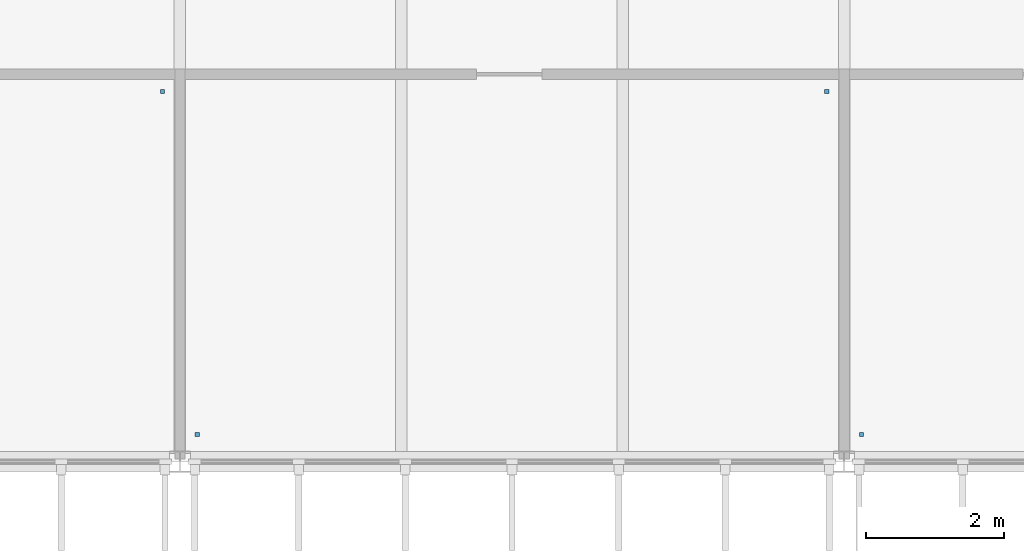
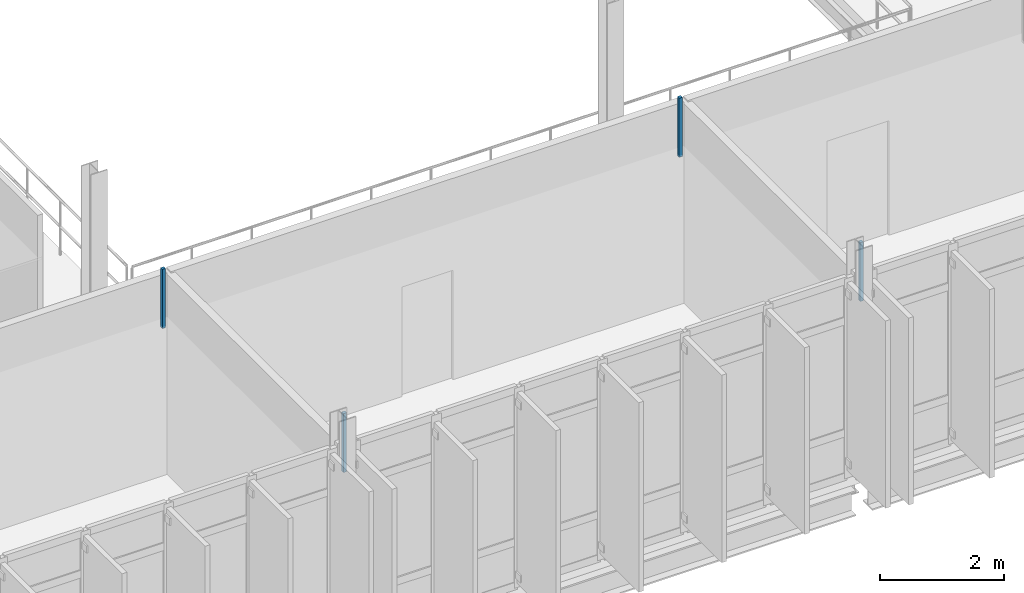
# One storey, part 73 of 110: 4 discrete accessories.
"""IFC4 building model written with IfcOpenShell, lengths in metres."""

from ifc_helpers import new_model, si_unit, direction, frame, origin, place, context, subcontext, project, spatial, polyline, outline, extrude, material, type_object, element, save


model = new_model("IFC4")

# Units and contexts
model_context = context("Model", 3, precision=1e-05, world=origin(), true_north=direction((0.0, 1.0)))
body_context = subcontext(model_context, "Body", "Model", "MODEL_VIEW")
ifc_project = project(units=[si_unit("LENGTHUNIT", "METRE"), si_unit("AREAUNIT", "SQUARE_METRE"), si_unit("VOLUMEUNIT", "CUBIC_METRE"), si_unit("PLANEANGLEUNIT", "RADIAN"), si_unit("MASSUNIT", "GRAM", prefix="KILO")], contexts=[model_context])

# Site, building, storey
site_placement = place(None, origin())
site = spatial("IfcSite", under=ifc_project, at=site_placement, CompositionType="ELEMENT")
building_placement = place(site_placement, origin())
building = spatial("IfcBuilding", under=site, at=building_placement, Name="Dunescarp Central Library", CompositionType="ELEMENT")
storey_placement = place(building_placement, frame((0.0, 0.0, 9.60009765625)))
storey = spatial("IfcBuildingStorey", under=building, at=storey_placement, Name="L02", CompositionType="ELEMENT", Elevation=9.60009765625)

# Discrete accessories
ifc_material = material(Name="Stainless steel Grade 316L", Category="steel")
discrete_accessory_type = type_object("IfcDiscreteAccessoryType", Name="ARC-ACC-BRK", PredefinedType="BRACKET", material=ifc_material)
discrete_accessory_1_placement = place(storey_placement, frame((0.0, 0.0, 3.059814453125)))
element("IfcDiscreteAccessory", 1, at=discrete_accessory_1_placement, inside=storey, type_object=discrete_accessory_type, Name="L02 ceiling hanger CLG-L02-060-H2", PredefinedType="BRACKET", context=body_context, shape_type="SweptSolid", body=[
    extrude(outline(polyline([(47.719970703125, 10.1201171875), (47.780029296875, 10.1201171875), (47.780029296875, 10.179931640625), (47.719970703125, 10.179931640625), (47.719970703125, 10.1201171875)])), origin(), (0.0, 0.0, 1.0), 1.16015625),
])
discrete_accessory_2_placement = place(storey_placement, frame((0.0, 0.0, 3.059814453125)))
element("IfcDiscreteAccessory", 2, at=discrete_accessory_2_placement, inside=storey, type_object=discrete_accessory_type, Name="L02 ceiling hanger CLG-L02-061-H1", PredefinedType="BRACKET", context=body_context, shape_type="SweptSolid", body=[
    extrude(outline(polyline([(48.219970703125, 5.159912109375), (48.280029296875, 5.159912109375), (48.280029296875, 5.219970703125), (48.219970703125, 5.219970703125), (48.219970703125, 5.159912109375)])), origin(), (0.0, 0.0, 1.0), 1.16015625),
])
discrete_accessory_3_placement = place(storey_placement, frame((0.0, 0.0, 3.059814453125)))
element("IfcDiscreteAccessory", 3, at=discrete_accessory_3_placement, inside=storey, type_object=discrete_accessory_type, Name="L02 ceiling hanger CLG-L02-061-H2", PredefinedType="BRACKET", context=body_context, shape_type="SweptSolid", body=[
    extrude(outline(polyline([(57.320068359375, 10.1201171875), (57.3798828125, 10.1201171875), (57.3798828125, 10.179931640625), (57.320068359375, 10.179931640625), (57.320068359375, 10.1201171875)])), origin(), (0.0, 0.0, 1.0), 1.16015625),
])
discrete_accessory_4_placement = place(storey_placement, frame((0.0, 0.0, 3.059814453125)))
element("IfcDiscreteAccessory", 4, at=discrete_accessory_4_placement, inside=storey, type_object=discrete_accessory_type, Name="L02 ceiling hanger CLG-L02-062-H1", PredefinedType="BRACKET", context=body_context, shape_type="SweptSolid", body=[
    extrude(outline(polyline([(57.820068359375, 5.159912109375), (57.8798828125, 5.159912109375), (57.8798828125, 5.219970703125), (57.820068359375, 5.219970703125), (57.820068359375, 5.159912109375)])), origin(), (0.0, 0.0, 1.0), 1.16015625),
])

save(model, "model.ifc")
